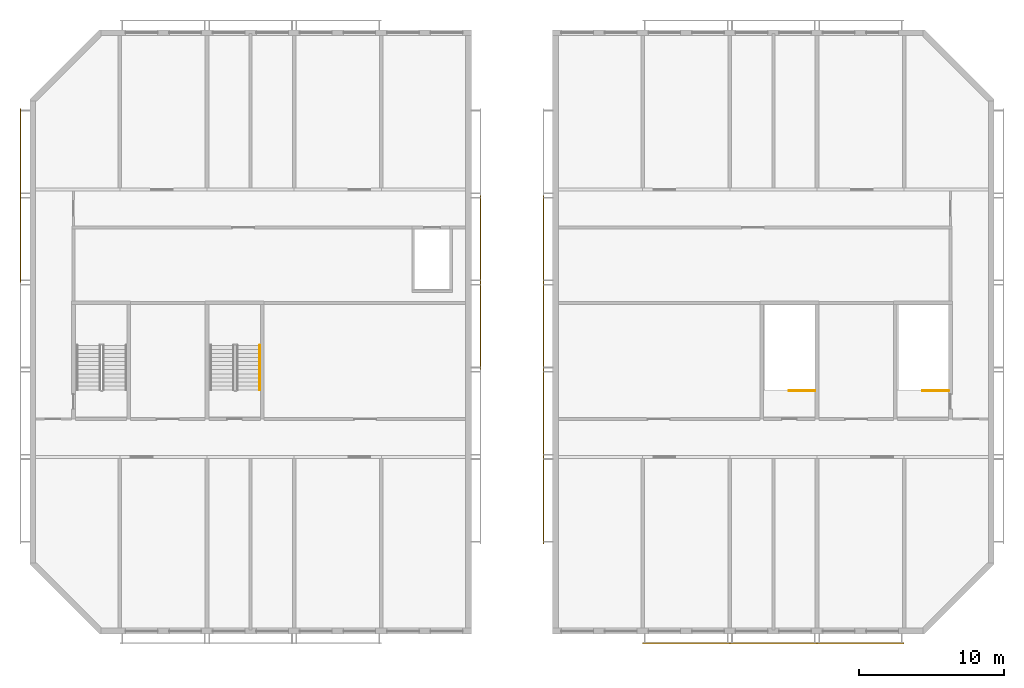
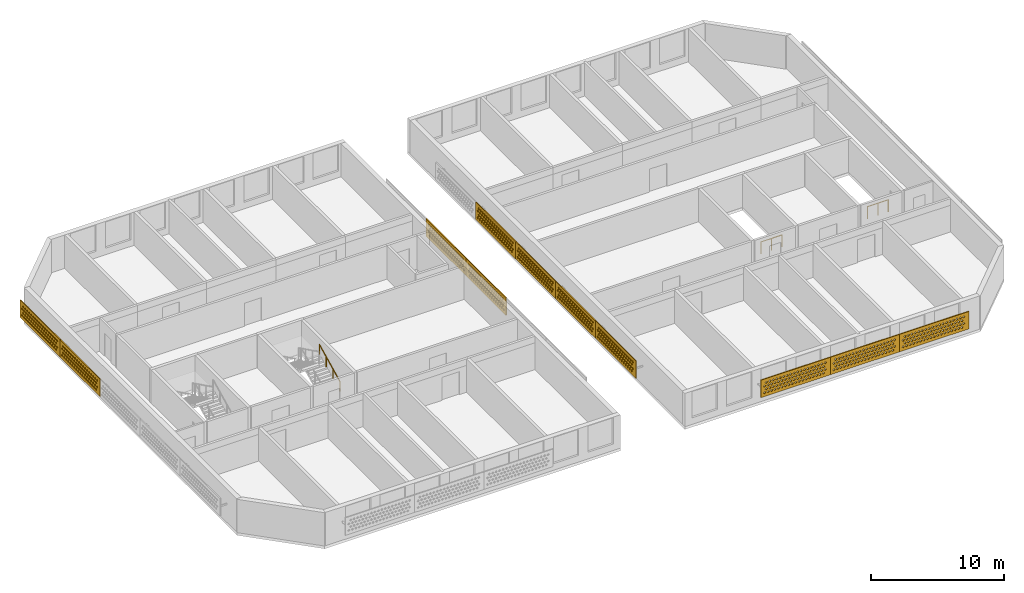
# One storey, part 10 of 16: 11 coverings, 3 railings.
"""IFC4 building model written with IfcOpenShell, lengths in metres."""

import ifcopenshell
import ifcopenshell.guid

model = None  # the IFC model being written
_history = None  # IfcOwnerHistory: only IFC2X3 demands one
_inside = {}  # id of a spatial element -> (the spatial element, [elements in it])
_under = {}  # id of a project, library or spatial element -> (it, [spatial elements below it])
_declared = {}  # id of a project -> (the project, [libraries it declares])
_typed = {}  # id of a type object -> (the type object, [elements of that type])
_made_of = {}  # id of a material, layer set ... -> (it, [elements and type objects made of it])


def new_model(schema):
    """Start an empty IFC model of exactly this schema.

    Asked for "IFC4X3", IfcOpenShell would pick the latest addendum, in which some entities
    have other attributes; the version numbers below select the first issue.
    IFC2X3 requires an IfcOwnerHistory on every rooted entity: one is made here for all.
    """
    global model, _history
    if schema == "IFC4X3":
        model = ifcopenshell.file(schema_version=(4, 3, 0, 0))
    else:
        model = ifcopenshell.file(schema=schema)
    _inside.clear()
    _under.clear()
    _declared.clear()
    _typed.clear()
    _made_of.clear()
    _history = None
    if model.schema == "IFC2X3":
        org = make("IfcOrganization", Name="unknown")
        user = make(
            "IfcPersonAndOrganization",
            ThePerson=make("IfcPerson", FamilyName="unknown"),
            TheOrganization=org,
        )
        app = make(
            "IfcApplication",
            ApplicationDeveloper=org,
            Version="unknown",
            ApplicationFullName="unknown",
            ApplicationIdentifier="unknown",
        )
        _history = make(
            "IfcOwnerHistory",
            OwningUser=user,
            OwningApplication=app,
            ChangeAction="ADDED",
            CreationDate=0,
        )
    return model


def make(cls, **values):
    """One entity of the class cls with the attributes given. An attribute that is None is left unset."""
    return model.create_entity(
        cls, **{name: value for name, value in values.items() if value is not None}
    )


def rooted(cls, **values):
    """An entity with a GlobalId (a new one), such as an element, a storey or a relation."""
    return make(cls, GlobalId=ifcopenshell.guid.new(), OwnerHistory=_history, **values)


def si_unit(unit_type, name, prefix=None):
    """IfcSIUnit, for example si_unit("LENGTHUNIT", "METRE", prefix="MILLI")."""
    return make("IfcSIUnit", UnitType=unit_type, Prefix=prefix, Name=name)


def assignment(units):
    """IfcUnitAssignment: the units of a project."""
    return None if units is None else make("IfcUnitAssignment", Units=units)


def point(xyz):
    """IfcCartesianPoint."""
    return None if xyz is None else make("IfcCartesianPoint", Coordinates=xyz)


def direction(xyz):
    """IfcDirection."""
    return None if xyz is None else make("IfcDirection", DirectionRatios=xyz)


def frame(location, z_axis=None, x_axis=None):
    """IfcAxis2Placement3D, a coordinate frame: its origin and axes. An axis left out is left unset."""
    return make(
        "IfcAxis2Placement3D",
        Location=point(location),
        Axis=direction(z_axis),
        RefDirection=direction(x_axis),
    )


def frame_2d(location, x_axis=None):
    """IfcAxis2Placement2D, a coordinate frame in the plane: its origin and x axis."""
    return make(
        "IfcAxis2Placement2D", Location=point(location), RefDirection=direction(x_axis)
    )


def origin():
    """The frame at (0, 0, 0) with its axes left unset."""
    return frame((0.0, 0.0, 0.0))


def origin_2d():
    """The frame at (0, 0) in the plane with its x axis left unset."""
    return frame_2d((0.0, 0.0))


def place(relative_to, where):
    """IfcLocalPlacement: puts the frame where relative to a parent placement (None: the world)."""
    return make(
        "IfcLocalPlacement", PlacementRelTo=relative_to, RelativePlacement=where
    )


def context(
    kind, dimensions, precision=None, world=None, true_north=None, identifier=None
):
    """IfcGeometricRepresentationContext, for example the 3D "Model" context."""
    return make(
        "IfcGeometricRepresentationContext",
        ContextIdentifier=identifier,
        ContextType=kind,
        CoordinateSpaceDimension=dimensions,
        Precision=precision,
        WorldCoordinateSystem=world,
        TrueNorth=true_north,
    )


def subcontext(parent, identifier, kind, view, scale=None):
    """IfcGeometricRepresentationSubContext, for example "Body" below "Model"."""
    return make(
        "IfcGeometricRepresentationSubContext",
        ContextIdentifier=identifier,
        ContextType=kind,
        ParentContext=parent,
        TargetScale=scale,
        TargetView=view,
    )


def project(units=None, contexts=None):
    """IfcProject with its units and contexts."""
    return rooted(
        "IfcProject",
        Name="project",
        RepresentationContexts=contexts,
        UnitsInContext=assignment(units),
    )


def spatial(cls, under=None, at=None, **own):
    """A site, building, storey or space (cls), placed at a placement, below another one or the project."""
    s = rooted(cls, ObjectPlacement=at, **own)
    if under is not None:
        _under.setdefault(under.id(), (under, []))[1].append(s)
    return s


def polyline(points):
    """IfcPolyline through the points."""
    return make("IfcPolyline", Points=[point(p) for p in points])


def profile(cls, at=None, kind="AREA", **sizes):
    """A parametric profile (cls). Its sizes go by their IFC names, for example OverallWidth=200.0."""
    return make(cls, ProfileType=kind, Position=at, **sizes)


def circle(**sizes):
    """IfcCircleProfileDef."""
    return profile("IfcCircleProfileDef", **sizes)


def outline(outer, holes=None, kind="AREA"):
    """IfcArbitraryClosedProfileDef: a profile drawn as a closed curve; with holes, ...WithVoids."""
    if holes is None:
        return make("IfcArbitraryClosedProfileDef", ProfileType=kind, OuterCurve=outer)
    return make(
        "IfcArbitraryProfileDefWithVoids",
        ProfileType=kind,
        OuterCurve=outer,
        InnerCurves=holes,
    )


def extrude(swept, where, along, depth):
    """IfcExtrudedAreaSolid: the profile swept, set in the frame where, extruded along a direction by depth."""
    return make(
        "IfcExtrudedAreaSolid",
        SweptArea=swept,
        Position=where,
        ExtrudedDirection=direction(along),
        Depth=depth,
    )


def shape(context_of_items, identifier, shape_type, items):
    """IfcShapeRepresentation: the items that make up one representation, for example the "Body"."""
    return make(
        "IfcShapeRepresentation",
        ContextOfItems=context_of_items,
        RepresentationIdentifier=identifier,
        RepresentationType=shape_type,
        Items=items,
    )


def source(mapping_origin, context_of_items, identifier, shape_type, items):
    """IfcRepresentationMap: a shape defined once, which mapped items show again and again."""
    return make(
        "IfcRepresentationMap",
        MappingOrigin=mapping_origin,
        MappedRepresentation=shape(context_of_items, identifier, shape_type, items),
    )


def transform(
    local_origin,
    x_axis=None,
    y_axis=None,
    z_axis=None,
    scale=None,
    scale2=None,
    scale3=None,
    uniform=True,
):
    """IfcCartesianTransformationOperator3D, or its non-uniform kind. x_axis, y_axis, z_axis: its Axis1, 2, 3."""
    if uniform:
        return make(
            "IfcCartesianTransformationOperator3D",
            Axis1=direction(x_axis),
            Axis2=direction(y_axis),
            LocalOrigin=point(local_origin),
            Scale=scale,
            Axis3=direction(z_axis),
        )
    return make(
        "IfcCartesianTransformationOperator3DnonUniform",
        Axis1=direction(x_axis),
        Axis2=direction(y_axis),
        LocalOrigin=point(local_origin),
        Scale=scale,
        Axis3=direction(z_axis),
        Scale2=scale2,
        Scale3=scale3,
    )


def mapped(mapping_source, mapping_target):
    """IfcMappedItem: shows the shape of a source again, moved by a transform."""
    return make(
        "IfcMappedItem", MappingSource=mapping_source, MappingTarget=mapping_target
    )


def material(Name=None, Category=None):
    """IfcMaterial."""
    return make("IfcMaterial", Name=Name, Category=Category)


def material_profile(
    of_material, cross_section, Name=None, Category=None, Priority=None
):
    """IfcMaterialProfile: a cross section and its material."""
    return make(
        "IfcMaterialProfile",
        Name=Name,
        Material=of_material,
        Profile=cross_section,
        Priority=Priority,
        Category=Category,
    )


def profile_set(profiles, Name=None, composite=None):
    """IfcMaterialProfileSet."""
    return make(
        "IfcMaterialProfileSet",
        Name=Name,
        MaterialProfiles=profiles,
        CompositeProfile=composite,
    )


def made_of(thing, what):
    """Note that an element or type object is made of a material, layer set ...; save() writes the relation."""
    if what is not None:
        _made_of.setdefault(what.id(), (what, []))[1].append(thing)
    return thing


def type_object(cls, material=None, **own):
    """A type object (cls), such as IfcWallType, which elements share."""
    return made_of(rooted(cls, **own), material)


def element(
    cls,
    number,
    at=None,
    inside=None,
    cuts=None,
    type_object=None,
    material=None,
    context=None,
    identifier="Body",
    shape_type=None,
    held_by="IfcProductDefinitionShape",
    body=None,
    shapes=None,
    **own,
):
    """One element of the class cls, such as IfcWall. Its Tag is "e" and its number.

    at: its placement. inside: the storey or other place that contains it. cuts: it is an
    opening in that element (IfcRelVoidsElement). A single representation is given by context,
    identifier, shape_type and body (its items); several are given by shapes. held_by: the class
    of the entity that holds the representations. save() writes the other relations.
    """
    e = rooted(cls, Tag="e%d" % number, ObjectPlacement=at, **own)
    if body is not None:
        shapes = [shape(context, identifier, shape_type, body)]
    if shapes is not None:
        e.Representation = make(held_by, Representations=shapes)
    if inside is not None:
        _inside.setdefault(inside.id(), (inside, []))[1].append(e)
    if cuts is not None:
        rooted(
            "IfcRelVoidsElement", RelatingBuildingElement=cuts, RelatedOpeningElement=e
        )
    if type_object is not None:
        _typed.setdefault(type_object.id(), (type_object, []))[1].append(e)
    return made_of(e, material)


def aggregate(whole, parts):
    """IfcRelAggregates: a whole, such as a stair, and the parts it consists of."""
    return rooted("IfcRelAggregates", RelatingObject=whole, RelatedObjects=parts)


def save(model, path):
    """Write the relations noted so far, then the file.

    IfcRelAggregates (storeys below a building ...), IfcRelContainedInSpatialStructure (elements
    in a storey), IfcRelDefinesByType, IfcRelAssociatesMaterial and IfcRelDeclares: one each for
    every whole, place, type object, material and project.
    """
    for whole, parts in _under.values():
        aggregate(whole, parts)
    for where, things in _inside.values():
        rooted(
            "IfcRelContainedInSpatialStructure",
            RelatedElements=things,
            RelatingStructure=where,
        )
    for kind, things in _typed.values():
        rooted("IfcRelDefinesByType", RelatedObjects=things, RelatingType=kind)
    for what, things in _made_of.values():
        rooted("IfcRelAssociatesMaterial", RelatedObjects=things, RelatingMaterial=what)
    for by, libraries in _declared.values():
        rooted("IfcRelDeclares", RelatingContext=by, RelatedDefinitions=libraries)
    model.write(path)


model = new_model("IFC4")

# Units and contexts
model_context = context("Model", 3, precision=1e-05, world=origin(), true_north=direction((0.0, 1.0)))
body_context = subcontext(model_context, "Body", "Model", "MODEL_VIEW")
ifc_project = project(units=[si_unit("LENGTHUNIT", "METRE"), si_unit("AREAUNIT", "SQUARE_METRE"), si_unit("VOLUMEUNIT", "CUBIC_METRE"), si_unit("PLANEANGLEUNIT", "RADIAN"), si_unit("MASSUNIT", "GRAM", prefix="KILO")], contexts=[model_context])

# Site, building, storey
site_placement = place(None, origin())
site = spatial("IfcSite", under=ifc_project, at=site_placement, CompositionType="ELEMENT")
building_placement = place(site_placement, origin())
building = spatial("IfcBuilding", under=site, at=building_placement, Name="Poui Terraces", CompositionType="ELEMENT")
storey_placement = place(building_placement, frame((0.0, 0.0, 282.300048828125)))
storey = spatial("IfcBuildingStorey", under=building, at=storey_placement, Name="L78 CROWN", CompositionType="ELEMENT", Elevation=282.300048828125)

# Railings
ifc_material_1 = material(Name="Galvanised steel balustrade", Category="steel")
railing_type_1 = type_object("IfcRailingType", Name="STAIR GUARD 1100", PredefinedType="GUARDRAIL", material=ifc_material_1)
for number, where, name in (
    (1, (71.875, 16.550048828125, 0.0), "L78 CROWN ST-CE top well guard 1"),
    (2, (81.074951171875, 16.550048828125, 0.0), "L78 CROWN ST-E top well guard 1"),
):
    element("IfcRailing", number, at=place(storey_placement, frame(where)), inside=storey, type_object=railing_type_1, Name=name, PredefinedType="GUARDRAIL", context=body_context, shape_type="SweptSolid", body=[
        extrude(circle(Radius=0.02392578125, at=origin_2d()), frame((0.0, 0.0, 1.076171875), z_axis=(-1.0, 0.0, 0.0), x_axis=(0.0, -1.0, 0.0)), (0.0, 0.0, 1.0), 1.800048828125),
        extrude(circle(Radius=0.02099609375, at=origin_2d()), origin(), (0.0, 0.0, 1.0), 1.052001953125),
        extrude(circle(Radius=0.02099609375, at=origin_2d()), frame((-0.89990234375, 0.0, 0.0)), (0.0, 0.0, 1.0), 1.052001953125),
        extrude(circle(Radius=0.02099609375, at=origin_2d()), frame((-1.800048828125, 0.0, 0.0)), (0.0, 0.0, 1.0), 1.052001953125),
    ])
ifc_material_2 = material(Name="Stainless steel handrail", Category="steel")
railing_type_2 = type_object("IfcRailingType", Name="STAIR HANDRAIL 900", PredefinedType="HANDRAIL", material=ifc_material_2)
railing_placement = place(storey_placement, frame((33.625, 16.60009765625, 0.137451171875)))
element("IfcRailing", 3, at=railing_placement, inside=storey, type_object=railing_type_2, Name="L78 CROWN ST-CW stair handrail 1", PredefinedType="HANDRAIL", context=body_context, shape_type="SweptSolid", body=[
    extrude(circle(Radius=0.02392578125, at=origin_2d()), frame((0.0, 0.0, 0.8759765625), z_axis=(0.0, 0.897606190399, 0.440798283751), x_axis=(-1.0, 0.0, 0.0)), (0.0, 0.0, 1.0), 3.43115234375),
    extrude(circle(Radius=0.02099609375, at=origin_2d()), origin(), (0.0, 0.0, 1.0), 0.851806640625),
    extrude(circle(Radius=0.02099609375, at=origin_2d()), frame((0.0, 1.026611328125, 0.504150390625)), (0.0, 0.0, 1.0), 0.851806640625),
    extrude(circle(Radius=0.02099609375, at=origin_2d()), frame((0.0, 2.05322265625, 1.00830078125)), (0.0, 0.0, 1.0), 0.851806640625),
    extrude(circle(Radius=0.02099609375, at=origin_2d()), frame((0.0, 3.079833984375, 1.512451171875)), (0.0, 0.0, 1.0), 0.851806640625),
])

# Coverings
ifc_material_3 = material(Name="Terracotta screen", Category="masonry")
ifc_material_profile = material_profile(ifc_material_3, outline(polyline([(-3.0, -0.800048828125), (3.0, -0.800048828125), (3.0, 0.800048828125), (-3.0, 0.800048828125), (-3.0, -0.800048828125)]), holes=[polyline([(-2.800048828125, -0.449951171875), (-2.68994140625, -0.56005859375), (-2.580078125, -0.449951171875), (-2.68994140625, -0.340087890625), (-2.800048828125, -0.449951171875)]), polyline([(-2.5, -0.449951171875), (-2.389892578125, -0.56005859375), (-2.280029296875, -0.449951171875), (-2.389892578125, -0.340087890625), (-2.5, -0.449951171875)]), polyline([(-2.199951171875, -0.449951171875), (-2.090087890625, -0.56005859375), (-1.97998046875, -0.449951171875), (-2.090087890625, -0.340087890625), (-2.199951171875, -0.449951171875)]), polyline([(-1.89990234375, -0.449951171875), (-1.7900390625, -0.56005859375), (-1.679931640625, -0.449951171875), (-1.7900390625, -0.340087890625), (-1.89990234375, -0.449951171875)]), polyline([(-1.60009765625, -0.449951171875), (-1.489990234375, -0.56005859375), (-1.3798828125, -0.449951171875), (-1.489990234375, -0.340087890625), (-1.60009765625, -0.449951171875)]), polyline([(-1.300048828125, -0.449951171875), (-1.18994140625, -0.56005859375), (-1.080078125, -0.449951171875), (-1.18994140625, -0.340087890625), (-1.300048828125, -0.449951171875)]), polyline([(-1.0, -0.449951171875), (-0.889892578125, -0.56005859375), (-0.780029296875, -0.449951171875), (-0.889892578125, -0.340087890625), (-1.0, -0.449951171875)]), polyline([(-0.699951171875, -0.449951171875), (-0.590087890625, -0.56005859375), (-0.47998046875, -0.449951171875), (-0.590087890625, -0.340087890625), (-0.699951171875, -0.449951171875)]), polyline([(-0.39990234375, -0.449951171875), (-0.2900390625, -0.56005859375), (-0.179931640625, -0.449951171875), (-0.2900390625, -0.340087890625), (-0.39990234375, -0.449951171875)]), polyline([(-0.10009765625, -0.449951171875), (0.010009765625, -0.56005859375), (0.1201171875, -0.449951171875), (0.010009765625, -0.340087890625), (-0.10009765625, -0.449951171875)]), polyline([(0.199951171875, -0.449951171875), (0.31005859375, -0.56005859375), (0.419921875, -0.449951171875), (0.31005859375, -0.340087890625), (0.199951171875, -0.449951171875)]), polyline([(0.5, -0.449951171875), (0.610107421875, -0.56005859375), (0.719970703125, -0.449951171875), (0.610107421875, -0.340087890625), (0.5, -0.449951171875)]), polyline([(0.800048828125, -0.449951171875), (0.909912109375, -0.56005859375), (1.02001953125, -0.449951171875), (0.909912109375, -0.340087890625), (0.800048828125, -0.449951171875)]), polyline([(1.10009765625, -0.449951171875), (1.2099609375, -0.56005859375), (1.320068359375, -0.449951171875), (1.2099609375, -0.340087890625), (1.10009765625, -0.449951171875)]), polyline([(1.39990234375, -0.449951171875), (1.510009765625, -0.56005859375), (1.6201171875, -0.449951171875), (1.510009765625, -0.340087890625), (1.39990234375, -0.449951171875)]), polyline([(1.699951171875, -0.449951171875), (1.81005859375, -0.56005859375), (1.919921875, -0.449951171875), (1.81005859375, -0.340087890625), (1.699951171875, -0.449951171875)]), polyline([(2.0, -0.449951171875), (2.110107421875, -0.56005859375), (2.219970703125, -0.449951171875), (2.110107421875, -0.340087890625), (2.0, -0.449951171875)]), polyline([(2.300048828125, -0.449951171875), (2.409912109375, -0.56005859375), (2.52001953125, -0.449951171875), (2.409912109375, -0.340087890625), (2.300048828125, -0.449951171875)]), polyline([(-2.64990234375, -0.14990234375), (-2.5400390625, -0.260009765625), (-2.429931640625, -0.14990234375), (-2.5400390625, -0.0400390625), (-2.64990234375, -0.14990234375)]), polyline([(-2.35009765625, -0.14990234375), (-2.239990234375, -0.260009765625), (-2.1298828125, -0.14990234375), (-2.239990234375, -0.0400390625), (-2.35009765625, -0.14990234375)]), polyline([(-2.050048828125, -0.14990234375), (-1.93994140625, -0.260009765625), (-1.830078125, -0.14990234375), (-1.93994140625, -0.0400390625), (-2.050048828125, -0.14990234375)]), polyline([(-1.75, -0.14990234375), (-1.639892578125, -0.260009765625), (-1.530029296875, -0.14990234375), (-1.639892578125, -0.0400390625), (-1.75, -0.14990234375)]), polyline([(-1.449951171875, -0.14990234375), (-1.340087890625, -0.260009765625), (-1.22998046875, -0.14990234375), (-1.340087890625, -0.0400390625), (-1.449951171875, -0.14990234375)]), polyline([(-1.14990234375, -0.14990234375), (-1.0400390625, -0.260009765625), (-0.929931640625, -0.14990234375), (-1.0400390625, -0.0400390625), (-1.14990234375, -0.14990234375)]), polyline([(-0.85009765625, -0.14990234375), (-0.739990234375, -0.260009765625), (-0.6298828125, -0.14990234375), (-0.739990234375, -0.0400390625), (-0.85009765625, -0.14990234375)]), polyline([(-0.550048828125, -0.14990234375), (-0.43994140625, -0.260009765625), (-0.330078125, -0.14990234375), (-0.43994140625, -0.0400390625), (-0.550048828125, -0.14990234375)]), polyline([(-0.25, -0.14990234375), (-0.139892578125, -0.260009765625), (-0.030029296875, -0.14990234375), (-0.139892578125, -0.0400390625), (-0.25, -0.14990234375)]), polyline([(0.050048828125, -0.14990234375), (0.159912109375, -0.260009765625), (0.27001953125, -0.14990234375), (0.159912109375, -0.0400390625), (0.050048828125, -0.14990234375)]), polyline([(0.35009765625, -0.14990234375), (0.4599609375, -0.260009765625), (0.570068359375, -0.14990234375), (0.4599609375, -0.0400390625), (0.35009765625, -0.14990234375)]), polyline([(0.64990234375, -0.14990234375), (0.760009765625, -0.260009765625), (0.8701171875, -0.14990234375), (0.760009765625, -0.0400390625), (0.64990234375, -0.14990234375)]), polyline([(0.949951171875, -0.14990234375), (1.06005859375, -0.260009765625), (1.169921875, -0.14990234375), (1.06005859375, -0.0400390625), (0.949951171875, -0.14990234375)]), polyline([(1.25, -0.14990234375), (1.360107421875, -0.260009765625), (1.469970703125, -0.14990234375), (1.360107421875, -0.0400390625), (1.25, -0.14990234375)]), polyline([(1.550048828125, -0.14990234375), (1.659912109375, -0.260009765625), (1.77001953125, -0.14990234375), (1.659912109375, -0.0400390625), (1.550048828125, -0.14990234375)]), polyline([(1.85009765625, -0.14990234375), (1.9599609375, -0.260009765625), (2.070068359375, -0.14990234375), (1.9599609375, -0.0400390625), (1.85009765625, -0.14990234375)]), polyline([(2.14990234375, -0.14990234375), (2.260009765625, -0.260009765625), (2.3701171875, -0.14990234375), (2.260009765625, -0.0400390625), (2.14990234375, -0.14990234375)]), polyline([(2.449951171875, -0.14990234375), (2.56005859375, -0.260009765625), (2.669921875, -0.14990234375), (2.56005859375, -0.0400390625), (2.449951171875, -0.14990234375)]), polyline([(-2.800048828125, 0.14990234375), (-2.68994140625, 0.0400390625), (-2.580078125, 0.14990234375), (-2.68994140625, 0.260009765625), (-2.800048828125, 0.14990234375)]), polyline([(-2.5, 0.14990234375), (-2.389892578125, 0.0400390625), (-2.280029296875, 0.14990234375), (-2.389892578125, 0.260009765625), (-2.5, 0.14990234375)]), polyline([(-2.199951171875, 0.14990234375), (-2.090087890625, 0.0400390625), (-1.97998046875, 0.14990234375), (-2.090087890625, 0.260009765625), (-2.199951171875, 0.14990234375)]), polyline([(-1.89990234375, 0.14990234375), (-1.7900390625, 0.0400390625), (-1.679931640625, 0.14990234375), (-1.7900390625, 0.260009765625), (-1.89990234375, 0.14990234375)]), polyline([(-1.60009765625, 0.14990234375), (-1.489990234375, 0.0400390625), (-1.3798828125, 0.14990234375), (-1.489990234375, 0.260009765625), (-1.60009765625, 0.14990234375)]), polyline([(-1.300048828125, 0.14990234375), (-1.18994140625, 0.0400390625), (-1.080078125, 0.14990234375), (-1.18994140625, 0.260009765625), (-1.300048828125, 0.14990234375)]), polyline([(-1.0, 0.14990234375), (-0.889892578125, 0.0400390625), (-0.780029296875, 0.14990234375), (-0.889892578125, 0.260009765625), (-1.0, 0.14990234375)]), polyline([(-0.699951171875, 0.14990234375), (-0.590087890625, 0.0400390625), (-0.47998046875, 0.14990234375), (-0.590087890625, 0.260009765625), (-0.699951171875, 0.14990234375)]), polyline([(-0.39990234375, 0.14990234375), (-0.2900390625, 0.0400390625), (-0.179931640625, 0.14990234375), (-0.2900390625, 0.260009765625), (-0.39990234375, 0.14990234375)]), polyline([(-0.10009765625, 0.14990234375), (0.010009765625, 0.0400390625), (0.1201171875, 0.14990234375), (0.010009765625, 0.260009765625), (-0.10009765625, 0.14990234375)]), polyline([(0.199951171875, 0.14990234375), (0.31005859375, 0.0400390625), (0.419921875, 0.14990234375), (0.31005859375, 0.260009765625), (0.199951171875, 0.14990234375)]), polyline([(0.5, 0.14990234375), (0.610107421875, 0.0400390625), (0.719970703125, 0.14990234375), (0.610107421875, 0.260009765625), (0.5, 0.14990234375)]), polyline([(0.800048828125, 0.14990234375), (0.909912109375, 0.0400390625), (1.02001953125, 0.14990234375), (0.909912109375, 0.260009765625), (0.800048828125, 0.14990234375)]), polyline([(1.10009765625, 0.14990234375), (1.2099609375, 0.0400390625), (1.320068359375, 0.14990234375), (1.2099609375, 0.260009765625), (1.10009765625, 0.14990234375)]), polyline([(1.39990234375, 0.14990234375), (1.510009765625, 0.0400390625), (1.6201171875, 0.14990234375), (1.510009765625, 0.260009765625), (1.39990234375, 0.14990234375)]), polyline([(1.699951171875, 0.14990234375), (1.81005859375, 0.0400390625), (1.919921875, 0.14990234375), (1.81005859375, 0.260009765625), (1.699951171875, 0.14990234375)]), polyline([(2.0, 0.14990234375), (2.110107421875, 0.0400390625), (2.219970703125, 0.14990234375), (2.110107421875, 0.260009765625), (2.0, 0.14990234375)]), polyline([(2.300048828125, 0.14990234375), (2.409912109375, 0.0400390625), (2.52001953125, 0.14990234375), (2.409912109375, 0.260009765625), (2.300048828125, 0.14990234375)]), polyline([(-2.64990234375, 0.449951171875), (-2.5400390625, 0.340087890625), (-2.429931640625, 0.449951171875), (-2.5400390625, 0.56005859375), (-2.64990234375, 0.449951171875)]), polyline([(-2.35009765625, 0.449951171875), (-2.239990234375, 0.340087890625), (-2.1298828125, 0.449951171875), (-2.239990234375, 0.56005859375), (-2.35009765625, 0.449951171875)]), polyline([(-2.050048828125, 0.449951171875), (-1.93994140625, 0.340087890625), (-1.830078125, 0.449951171875), (-1.93994140625, 0.56005859375), (-2.050048828125, 0.449951171875)]), polyline([(-1.75, 0.449951171875), (-1.639892578125, 0.340087890625), (-1.530029296875, 0.449951171875), (-1.639892578125, 0.56005859375), (-1.75, 0.449951171875)]), polyline([(-1.449951171875, 0.449951171875), (-1.340087890625, 0.340087890625), (-1.22998046875, 0.449951171875), (-1.340087890625, 0.56005859375), (-1.449951171875, 0.449951171875)]), polyline([(-1.14990234375, 0.449951171875), (-1.0400390625, 0.340087890625), (-0.929931640625, 0.449951171875), (-1.0400390625, 0.56005859375), (-1.14990234375, 0.449951171875)]), polyline([(-0.85009765625, 0.449951171875), (-0.739990234375, 0.340087890625), (-0.6298828125, 0.449951171875), (-0.739990234375, 0.56005859375), (-0.85009765625, 0.449951171875)]), polyline([(-0.550048828125, 0.449951171875), (-0.43994140625, 0.340087890625), (-0.330078125, 0.449951171875), (-0.43994140625, 0.56005859375), (-0.550048828125, 0.449951171875)]), polyline([(-0.25, 0.449951171875), (-0.139892578125, 0.340087890625), (-0.030029296875, 0.449951171875), (-0.139892578125, 0.56005859375), (-0.25, 0.449951171875)]), polyline([(0.050048828125, 0.449951171875), (0.159912109375, 0.340087890625), (0.27001953125, 0.449951171875), (0.159912109375, 0.56005859375), (0.050048828125, 0.449951171875)]), polyline([(0.35009765625, 0.449951171875), (0.4599609375, 0.340087890625), (0.570068359375, 0.449951171875), (0.4599609375, 0.56005859375), (0.35009765625, 0.449951171875)]), polyline([(0.64990234375, 0.449951171875), (0.760009765625, 0.340087890625), (0.8701171875, 0.449951171875), (0.760009765625, 0.56005859375), (0.64990234375, 0.449951171875)]), polyline([(0.949951171875, 0.449951171875), (1.06005859375, 0.340087890625), (1.169921875, 0.449951171875), (1.06005859375, 0.56005859375), (0.949951171875, 0.449951171875)]), polyline([(1.25, 0.449951171875), (1.360107421875, 0.340087890625), (1.469970703125, 0.449951171875), (1.360107421875, 0.56005859375), (1.25, 0.449951171875)]), polyline([(1.550048828125, 0.449951171875), (1.659912109375, 0.340087890625), (1.77001953125, 0.449951171875), (1.659912109375, 0.56005859375), (1.550048828125, 0.449951171875)]), polyline([(1.85009765625, 0.449951171875), (1.9599609375, 0.340087890625), (2.070068359375, 0.449951171875), (1.9599609375, 0.56005859375), (1.85009765625, 0.449951171875)]), polyline([(2.14990234375, 0.449951171875), (2.260009765625, 0.340087890625), (2.3701171875, 0.449951171875), (2.260009765625, 0.56005859375), (2.14990234375, 0.449951171875)]), polyline([(2.449951171875, 0.449951171875), (2.56005859375, 0.340087890625), (2.669921875, 0.449951171875), (2.56005859375, 0.56005859375), (2.449951171875, 0.449951171875)])]), Name="TERRACOTTA SOLAR SCREEN 6000X1600")
ifc_profile_set = profile_set([ifc_material_profile], Name="Terracotta screen")
covering_type = type_object("IfcCoveringType", Name="TERRACOTTA SOLAR SCREEN 6000X1600", PredefinedType="CLADDING", material=ifc_profile_set)
shared_shape = source(origin(), body_context, "Body", "SweptSolid", [
    extrude(outline(polyline([(-3.0, -0.800048828125), (3.0, -0.800048828125), (3.0, 0.800048828125), (-3.0, 0.800048828125), (-3.0, -0.800048828125)]), holes=[polyline([(-2.800048828125, -0.449951171875), (-2.68994140625, -0.56005859375), (-2.580078125, -0.449951171875), (-2.68994140625, -0.340087890625), (-2.800048828125, -0.449951171875)]), polyline([(-2.5, -0.449951171875), (-2.389892578125, -0.56005859375), (-2.280029296875, -0.449951171875), (-2.389892578125, -0.340087890625), (-2.5, -0.449951171875)]), polyline([(-2.199951171875, -0.449951171875), (-2.090087890625, -0.56005859375), (-1.97998046875, -0.449951171875), (-2.090087890625, -0.340087890625), (-2.199951171875, -0.449951171875)]), polyline([(-1.89990234375, -0.449951171875), (-1.7900390625, -0.56005859375), (-1.679931640625, -0.449951171875), (-1.7900390625, -0.340087890625), (-1.89990234375, -0.449951171875)]), polyline([(-1.60009765625, -0.449951171875), (-1.489990234375, -0.56005859375), (-1.3798828125, -0.449951171875), (-1.489990234375, -0.340087890625), (-1.60009765625, -0.449951171875)]), polyline([(-1.300048828125, -0.449951171875), (-1.18994140625, -0.56005859375), (-1.080078125, -0.449951171875), (-1.18994140625, -0.340087890625), (-1.300048828125, -0.449951171875)]), polyline([(-1.0, -0.449951171875), (-0.889892578125, -0.56005859375), (-0.780029296875, -0.449951171875), (-0.889892578125, -0.340087890625), (-1.0, -0.449951171875)]), polyline([(-0.699951171875, -0.449951171875), (-0.590087890625, -0.56005859375), (-0.47998046875, -0.449951171875), (-0.590087890625, -0.340087890625), (-0.699951171875, -0.449951171875)]), polyline([(-0.39990234375, -0.449951171875), (-0.2900390625, -0.56005859375), (-0.179931640625, -0.449951171875), (-0.2900390625, -0.340087890625), (-0.39990234375, -0.449951171875)]), polyline([(-0.10009765625, -0.449951171875), (0.010009765625, -0.56005859375), (0.1201171875, -0.449951171875), (0.010009765625, -0.340087890625), (-0.10009765625, -0.449951171875)]), polyline([(0.199951171875, -0.449951171875), (0.31005859375, -0.56005859375), (0.419921875, -0.449951171875), (0.31005859375, -0.340087890625), (0.199951171875, -0.449951171875)]), polyline([(0.5, -0.449951171875), (0.610107421875, -0.56005859375), (0.719970703125, -0.449951171875), (0.610107421875, -0.340087890625), (0.5, -0.449951171875)]), polyline([(0.800048828125, -0.449951171875), (0.909912109375, -0.56005859375), (1.02001953125, -0.449951171875), (0.909912109375, -0.340087890625), (0.800048828125, -0.449951171875)]), polyline([(1.10009765625, -0.449951171875), (1.2099609375, -0.56005859375), (1.320068359375, -0.449951171875), (1.2099609375, -0.340087890625), (1.10009765625, -0.449951171875)]), polyline([(1.39990234375, -0.449951171875), (1.510009765625, -0.56005859375), (1.6201171875, -0.449951171875), (1.510009765625, -0.340087890625), (1.39990234375, -0.449951171875)]), polyline([(1.699951171875, -0.449951171875), (1.81005859375, -0.56005859375), (1.919921875, -0.449951171875), (1.81005859375, -0.340087890625), (1.699951171875, -0.449951171875)]), polyline([(2.0, -0.449951171875), (2.110107421875, -0.56005859375), (2.219970703125, -0.449951171875), (2.110107421875, -0.340087890625), (2.0, -0.449951171875)]), polyline([(2.300048828125, -0.449951171875), (2.409912109375, -0.56005859375), (2.52001953125, -0.449951171875), (2.409912109375, -0.340087890625), (2.300048828125, -0.449951171875)]), polyline([(-2.64990234375, -0.14990234375), (-2.5400390625, -0.260009765625), (-2.429931640625, -0.14990234375), (-2.5400390625, -0.0400390625), (-2.64990234375, -0.14990234375)]), polyline([(-2.35009765625, -0.14990234375), (-2.239990234375, -0.260009765625), (-2.1298828125, -0.14990234375), (-2.239990234375, -0.0400390625), (-2.35009765625, -0.14990234375)]), polyline([(-2.050048828125, -0.14990234375), (-1.93994140625, -0.260009765625), (-1.830078125, -0.14990234375), (-1.93994140625, -0.0400390625), (-2.050048828125, -0.14990234375)]), polyline([(-1.75, -0.14990234375), (-1.639892578125, -0.260009765625), (-1.530029296875, -0.14990234375), (-1.639892578125, -0.0400390625), (-1.75, -0.14990234375)]), polyline([(-1.449951171875, -0.14990234375), (-1.340087890625, -0.260009765625), (-1.22998046875, -0.14990234375), (-1.340087890625, -0.0400390625), (-1.449951171875, -0.14990234375)]), polyline([(-1.14990234375, -0.14990234375), (-1.0400390625, -0.260009765625), (-0.929931640625, -0.14990234375), (-1.0400390625, -0.0400390625), (-1.14990234375, -0.14990234375)]), polyline([(-0.85009765625, -0.14990234375), (-0.739990234375, -0.260009765625), (-0.6298828125, -0.14990234375), (-0.739990234375, -0.0400390625), (-0.85009765625, -0.14990234375)]), polyline([(-0.550048828125, -0.14990234375), (-0.43994140625, -0.260009765625), (-0.330078125, -0.14990234375), (-0.43994140625, -0.0400390625), (-0.550048828125, -0.14990234375)]), polyline([(-0.25, -0.14990234375), (-0.139892578125, -0.260009765625), (-0.030029296875, -0.14990234375), (-0.139892578125, -0.0400390625), (-0.25, -0.14990234375)]), polyline([(0.050048828125, -0.14990234375), (0.159912109375, -0.260009765625), (0.27001953125, -0.14990234375), (0.159912109375, -0.0400390625), (0.050048828125, -0.14990234375)]), polyline([(0.35009765625, -0.14990234375), (0.4599609375, -0.260009765625), (0.570068359375, -0.14990234375), (0.4599609375, -0.0400390625), (0.35009765625, -0.14990234375)]), polyline([(0.64990234375, -0.14990234375), (0.760009765625, -0.260009765625), (0.8701171875, -0.14990234375), (0.760009765625, -0.0400390625), (0.64990234375, -0.14990234375)]), polyline([(0.949951171875, -0.14990234375), (1.06005859375, -0.260009765625), (1.169921875, -0.14990234375), (1.06005859375, -0.0400390625), (0.949951171875, -0.14990234375)]), polyline([(1.25, -0.14990234375), (1.360107421875, -0.260009765625), (1.469970703125, -0.14990234375), (1.360107421875, -0.0400390625), (1.25, -0.14990234375)]), polyline([(1.550048828125, -0.14990234375), (1.659912109375, -0.260009765625), (1.77001953125, -0.14990234375), (1.659912109375, -0.0400390625), (1.550048828125, -0.14990234375)]), polyline([(1.85009765625, -0.14990234375), (1.9599609375, -0.260009765625), (2.070068359375, -0.14990234375), (1.9599609375, -0.0400390625), (1.85009765625, -0.14990234375)]), polyline([(2.14990234375, -0.14990234375), (2.260009765625, -0.260009765625), (2.3701171875, -0.14990234375), (2.260009765625, -0.0400390625), (2.14990234375, -0.14990234375)]), polyline([(2.449951171875, -0.14990234375), (2.56005859375, -0.260009765625), (2.669921875, -0.14990234375), (2.56005859375, -0.0400390625), (2.449951171875, -0.14990234375)]), polyline([(-2.800048828125, 0.14990234375), (-2.68994140625, 0.0400390625), (-2.580078125, 0.14990234375), (-2.68994140625, 0.260009765625), (-2.800048828125, 0.14990234375)]), polyline([(-2.5, 0.14990234375), (-2.389892578125, 0.0400390625), (-2.280029296875, 0.14990234375), (-2.389892578125, 0.260009765625), (-2.5, 0.14990234375)]), polyline([(-2.199951171875, 0.14990234375), (-2.090087890625, 0.0400390625), (-1.97998046875, 0.14990234375), (-2.090087890625, 0.260009765625), (-2.199951171875, 0.14990234375)]), polyline([(-1.89990234375, 0.14990234375), (-1.7900390625, 0.0400390625), (-1.679931640625, 0.14990234375), (-1.7900390625, 0.260009765625), (-1.89990234375, 0.14990234375)]), polyline([(-1.60009765625, 0.14990234375), (-1.489990234375, 0.0400390625), (-1.3798828125, 0.14990234375), (-1.489990234375, 0.260009765625), (-1.60009765625, 0.14990234375)]), polyline([(-1.300048828125, 0.14990234375), (-1.18994140625, 0.0400390625), (-1.080078125, 0.14990234375), (-1.18994140625, 0.260009765625), (-1.300048828125, 0.14990234375)]), polyline([(-1.0, 0.14990234375), (-0.889892578125, 0.0400390625), (-0.780029296875, 0.14990234375), (-0.889892578125, 0.260009765625), (-1.0, 0.14990234375)]), polyline([(-0.699951171875, 0.14990234375), (-0.590087890625, 0.0400390625), (-0.47998046875, 0.14990234375), (-0.590087890625, 0.260009765625), (-0.699951171875, 0.14990234375)]), polyline([(-0.39990234375, 0.14990234375), (-0.2900390625, 0.0400390625), (-0.179931640625, 0.14990234375), (-0.2900390625, 0.260009765625), (-0.39990234375, 0.14990234375)]), polyline([(-0.10009765625, 0.14990234375), (0.010009765625, 0.0400390625), (0.1201171875, 0.14990234375), (0.010009765625, 0.260009765625), (-0.10009765625, 0.14990234375)]), polyline([(0.199951171875, 0.14990234375), (0.31005859375, 0.0400390625), (0.419921875, 0.14990234375), (0.31005859375, 0.260009765625), (0.199951171875, 0.14990234375)]), polyline([(0.5, 0.14990234375), (0.610107421875, 0.0400390625), (0.719970703125, 0.14990234375), (0.610107421875, 0.260009765625), (0.5, 0.14990234375)]), polyline([(0.800048828125, 0.14990234375), (0.909912109375, 0.0400390625), (1.02001953125, 0.14990234375), (0.909912109375, 0.260009765625), (0.800048828125, 0.14990234375)]), polyline([(1.10009765625, 0.14990234375), (1.2099609375, 0.0400390625), (1.320068359375, 0.14990234375), (1.2099609375, 0.260009765625), (1.10009765625, 0.14990234375)]), polyline([(1.39990234375, 0.14990234375), (1.510009765625, 0.0400390625), (1.6201171875, 0.14990234375), (1.510009765625, 0.260009765625), (1.39990234375, 0.14990234375)]), polyline([(1.699951171875, 0.14990234375), (1.81005859375, 0.0400390625), (1.919921875, 0.14990234375), (1.81005859375, 0.260009765625), (1.699951171875, 0.14990234375)]), polyline([(2.0, 0.14990234375), (2.110107421875, 0.0400390625), (2.219970703125, 0.14990234375), (2.110107421875, 0.260009765625), (2.0, 0.14990234375)]), polyline([(2.300048828125, 0.14990234375), (2.409912109375, 0.0400390625), (2.52001953125, 0.14990234375), (2.409912109375, 0.260009765625), (2.300048828125, 0.14990234375)]), polyline([(-2.64990234375, 0.449951171875), (-2.5400390625, 0.340087890625), (-2.429931640625, 0.449951171875), (-2.5400390625, 0.56005859375), (-2.64990234375, 0.449951171875)]), polyline([(-2.35009765625, 0.449951171875), (-2.239990234375, 0.340087890625), (-2.1298828125, 0.449951171875), (-2.239990234375, 0.56005859375), (-2.35009765625, 0.449951171875)]), polyline([(-2.050048828125, 0.449951171875), (-1.93994140625, 0.340087890625), (-1.830078125, 0.449951171875), (-1.93994140625, 0.56005859375), (-2.050048828125, 0.449951171875)]), polyline([(-1.75, 0.449951171875), (-1.639892578125, 0.340087890625), (-1.530029296875, 0.449951171875), (-1.639892578125, 0.56005859375), (-1.75, 0.449951171875)]), polyline([(-1.449951171875, 0.449951171875), (-1.340087890625, 0.340087890625), (-1.22998046875, 0.449951171875), (-1.340087890625, 0.56005859375), (-1.449951171875, 0.449951171875)]), polyline([(-1.14990234375, 0.449951171875), (-1.0400390625, 0.340087890625), (-0.929931640625, 0.449951171875), (-1.0400390625, 0.56005859375), (-1.14990234375, 0.449951171875)]), polyline([(-0.85009765625, 0.449951171875), (-0.739990234375, 0.340087890625), (-0.6298828125, 0.449951171875), (-0.739990234375, 0.56005859375), (-0.85009765625, 0.449951171875)]), polyline([(-0.550048828125, 0.449951171875), (-0.43994140625, 0.340087890625), (-0.330078125, 0.449951171875), (-0.43994140625, 0.56005859375), (-0.550048828125, 0.449951171875)]), polyline([(-0.25, 0.449951171875), (-0.139892578125, 0.340087890625), (-0.030029296875, 0.449951171875), (-0.139892578125, 0.56005859375), (-0.25, 0.449951171875)]), polyline([(0.050048828125, 0.449951171875), (0.159912109375, 0.340087890625), (0.27001953125, 0.449951171875), (0.159912109375, 0.56005859375), (0.050048828125, 0.449951171875)]), polyline([(0.35009765625, 0.449951171875), (0.4599609375, 0.340087890625), (0.570068359375, 0.449951171875), (0.4599609375, 0.56005859375), (0.35009765625, 0.449951171875)]), polyline([(0.64990234375, 0.449951171875), (0.760009765625, 0.340087890625), (0.8701171875, 0.449951171875), (0.760009765625, 0.56005859375), (0.64990234375, 0.449951171875)]), polyline([(0.949951171875, 0.449951171875), (1.06005859375, 0.340087890625), (1.169921875, 0.449951171875), (1.06005859375, 0.56005859375), (0.949951171875, 0.449951171875)]), polyline([(1.25, 0.449951171875), (1.360107421875, 0.340087890625), (1.469970703125, 0.449951171875), (1.360107421875, 0.56005859375), (1.25, 0.449951171875)]), polyline([(1.550048828125, 0.449951171875), (1.659912109375, 0.340087890625), (1.77001953125, 0.449951171875), (1.659912109375, 0.56005859375), (1.550048828125, 0.449951171875)]), polyline([(1.85009765625, 0.449951171875), (1.9599609375, 0.340087890625), (2.070068359375, 0.449951171875), (1.9599609375, 0.56005859375), (1.85009765625, 0.449951171875)]), polyline([(2.14990234375, 0.449951171875), (2.260009765625, 0.340087890625), (2.3701171875, 0.449951171875), (2.260009765625, 0.56005859375), (2.14990234375, 0.449951171875)]), polyline([(2.449951171875, 0.449951171875), (2.56005859375, 0.340087890625), (2.669921875, 0.449951171875), (2.56005859375, 0.56005859375), (2.449951171875, 0.449951171875)])]), origin(), (0.0, 0.0, 1.0), 0.079833984375),
])
for number, where, z_axis, x_axis, name in (
    (4, (48.800048828125, 21.0, 1.699951171875), (1.0, 0.0, 0.0), (0.0, 1.0, 0.0), "SOLAR SCREEN"),
    (5, (48.800048828125, 27.0, 1.699951171875), (1.0, 0.0, 0.0), (0.0, 1.0, 0.0), "SOLAR SCREEN"),
    (6, (17.199951171875, 27.0, 1.699951171875), (-1.0, 0.0, 0.0), (0.0, -1.0, 0.0), "SOLAR SCREEN"),
    (7, (17.199951171875, 33.0, 1.699951171875), (-1.0, 0.0, 0.0), (0.0, -1.0, 0.0), "SOLAR SCREEN"),
    (8, (63.0, -0.800048828125, 1.699951171875), (0.0, -1.0, 0.0), (1.0, 0.0, 0.0), "SOLAR SCREEN"),
    (9, (69.0, -0.800048828125, 1.699951171875), (0.0, -1.0, 0.0), (1.0, 0.0, 0.0), "SOLAR SCREEN"),
    (10, (75.0, -0.800048828125, 1.699951171875), (0.0, -1.0, 0.0), (1.0, 0.0, 0.0), "SOLAR SCREEN"),
    (11, (53.199951171875, 9.0, 1.699951171875), (-1.0, 0.0, 0.0), (0.0, -1.0, 0.0), "SOLAR SCREEN"),
    (12, (53.199951171875, 15.0, 1.699951171875), (-1.0, 0.0, 0.0), (0.0, -1.0, 0.0), "SOLAR SCREEN"),
    (13, (53.199951171875, 21.0, 1.699951171875), (-1.0, 0.0, 0.0), (0.0, -1.0, 0.0), "SOLAR SCREEN"),
    (14, (53.199951171875, 27.0, 1.699951171875), (-1.0, 0.0, 0.0), (0.0, -1.0, 0.0), "SOLAR SCREEN"),
):
    element("IfcCovering", number, at=place(storey_placement, frame(where, z_axis=z_axis, x_axis=x_axis)), inside=storey, type_object=covering_type, Name=name, PredefinedType="CLADDING", context=body_context, shape_type="MappedRepresentation", body=[
        mapped(shared_shape, transform((0.0, 0.0, 0.0))),
    ])

save(model, "model.ifc")
